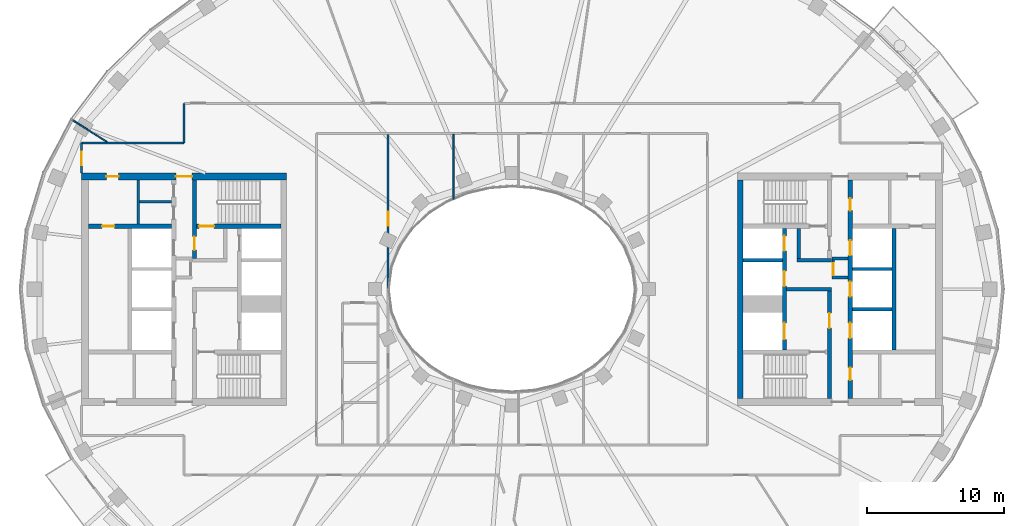
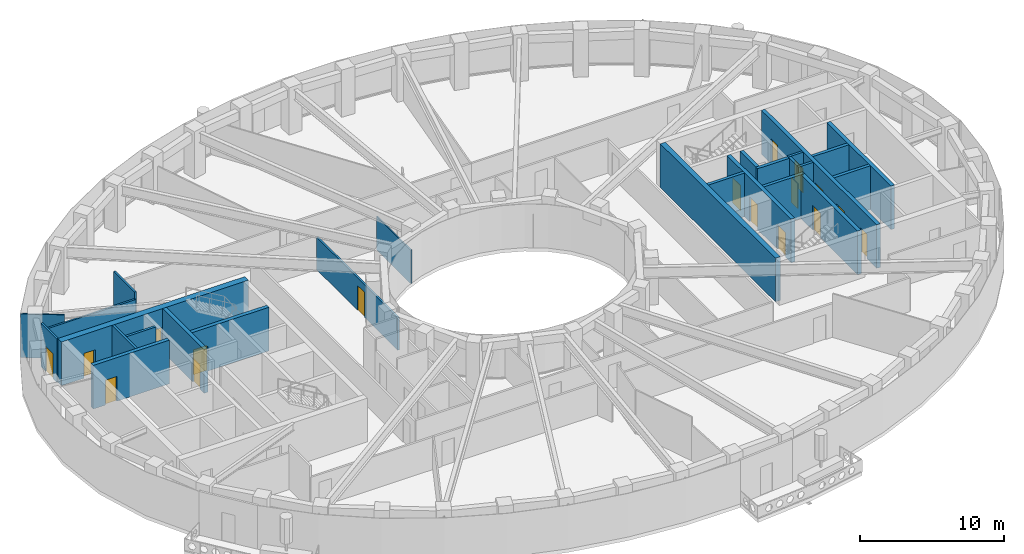
# One storey, part 5 of 16: 26 walls, 17 doors, 17 openings.
"""IFC4 building model written with IfcOpenShell, lengths in metres."""

from ifc_helpers import new_model, si_unit, direction, frame, frame_2d, origin, place, context, subcontext, project, spatial, rectangle, extrude, material, layer, layer_set, type_object, element, fill, save


model = new_model("IFC4")

# Units and contexts
model_context = context("Model", 3, precision=1e-05, world=origin(), true_north=direction((0.0, 1.0)))
body_context = subcontext(model_context, "Body", "Model", "MODEL_VIEW")
ifc_project = project(units=[si_unit("LENGTHUNIT", "METRE"), si_unit("AREAUNIT", "SQUARE_METRE"), si_unit("VOLUMEUNIT", "CUBIC_METRE"), si_unit("PLANEANGLEUNIT", "RADIAN"), si_unit("MASSUNIT", "GRAM", prefix="KILO")], contexts=[model_context])

# Site, building, storey
site_placement = place(None, origin())
site = spatial("IfcSite", under=ifc_project, at=site_placement, CompositionType="ELEMENT")
building_placement = place(site_placement, origin())
building = spatial("IfcBuilding", under=site, at=building_placement, Name="Noorbagh Ring Tower", CompositionType="ELEMENT")
storey_placement = place(building_placement, frame((0.0, 0.0, 281.5)))
storey = spatial("IfcBuildingStorey", under=building, at=storey_placement, Name="L60", CompositionType="ELEMENT", Elevation=281.5)

# Walls
ifc_material_1 = material(Name="Gypsum board on steel studs", Category="steel")
ifc_layer_1 = layer(ifc_material_1, 0.199951171875)
ifc_layer_set_1 = layer_set([ifc_layer_1], Name="Gypsum board on steel studs")
wall_type_1 = type_object("IfcWallType", Name="CORE-PARTITION-200", PredefinedType="PARTITIONING", material=ifc_layer_set_1)
wall_1_placement = place(storey_placement, frame((-27.35009765625, 4.75, 0.0), z_axis=(0.0, 0.0, 1.0), x_axis=(0.0, 1.0, 0.0)))
element("IfcWall", 1, at=wall_1_placement, inside=storey, type_object=wall_type_1, Name="Core partition W", PredefinedType="PARTITIONING", context=body_context, shape_type="SweptSolid", body=[
    extrude(rectangle(XDim=3.25, YDim=0.199951171875, at=frame_2d((1.625, 0.0))), origin(), (0.0, 0.0, 1.0), 3.699951171875),
])
wall_2_placement = place(storey_placement, frame((-24.89990234375, 6.39990234375, 0.0), z_axis=(0.0, 0.0, 1.0), x_axis=(-1.0, 0.0, 0.0)))
element("IfcWall", 2, at=wall_2_placement, inside=storey, type_object=wall_type_1, Name="Core partition W", PredefinedType="PARTITIONING", context=body_context, shape_type="SweptSolid", body=[
    extrude(rectangle(XDim=2.35009765625, YDim=0.199951171875, at=frame_2d((1.175048828125, 0.0))), origin(), (0.0, 0.0, 1.0), 3.699951171875),
])
for number, where, z_axis, x_axis, name in (
    (3, (23.39990234375, 0.85009765625, 0.0), (0.0, 0.0, 1.0), (1.0, 0.0, 0.0), "Core partition E"),
    (4, (23.39990234375, 2.25, 0.0), (0.0, 0.0, 1.0), (1.0, 0.0, 0.0), "Core partition E"),
):
    element("IfcWall", number, at=place(storey_placement, frame(where, z_axis=z_axis, x_axis=x_axis)), inside=storey, type_object=wall_type_1, Name=name, PredefinedType="PARTITIONING", context=body_context, shape_type="SweptSolid", body=[
        extrude(rectangle(XDim=1.2001953125, YDim=0.199951171875, at=frame_2d((0.60009765625, 0.0))), origin(), (0.0, 0.0, 1.0), 3.699951171875),
    ])

# Wall, opening, door
wall_3_placement = place(storey_placement, frame((23.5, 0.75, 0.0), z_axis=(0.0, 0.0, 1.0), x_axis=(0.0, 1.0, 0.0)))
wall_3 = element("IfcWall", 5, at=wall_3_placement, inside=storey, type_object=wall_type_1, Name="Core partition E", PredefinedType="PARTITIONING", context=body_context, shape_type="SweptSolid", body=[
    extrude(rectangle(XDim=1.60009765625, YDim=0.199951171875, at=frame_2d((0.800048828125, 0.0))), origin(), (0.0, 0.0, 1.0), 3.699951171875),
])
opening_1_placement = place(wall_3_placement, frame((0.25, 0.0, 0.0)))
opening_1 = element("IfcOpeningElement", 6, at=opening_1_placement, cuts=wall_3, Name="Opening L60-CE17", PredefinedType="OPENING", context=body_context, shape_type="SweptSolid", body=[
    extrude(rectangle(XDim=0.89990234375, YDim=2.10009765625, at=frame_2d((0.449951171875, 1.050048828125))), frame((0.0, 0.10986328125, 0.0), z_axis=(0.0, -1.0, 0.0), x_axis=(1.0, 0.0, 0.0)), (0.0, 0.0, 1.0), 0.219970703125),
])
ifc_material_2 = material(Name="Steel door leaf", Category="steel")
door_type_1 = type_object("IfcDoorType", Name="CORE-DOOR-DROOM", OperationType="SINGLE_SWING_LEFT", PredefinedType="DOOR", material=ifc_material_2)
door_1_placement = place(opening_1_placement, origin())
door_1 = element("IfcDoor", 7, at=door_1_placement, inside=storey, type_object=door_type_1, Name="Core room door L60-CE17", OperationType="SINGLE_SWING_LEFT", OverallHeight=2.10009765625, OverallWidth=0.89990234375, PredefinedType="DOOR", context=body_context, shape_type="SweptSolid", body=[
    extrude(rectangle(XDim=0.89990234375, YDim=2.10009765625, at=frame_2d((0.449951171875, 1.050048828125))), frame((0.0, 0.02490234375, 0.0), z_axis=(0.0, -1.0, 0.0), x_axis=(1.0, 0.0, 0.0)), (0.0, 0.0, 1.0), 0.050048828125),
])
fill(opening_1, door_1)

# Walls
ifc_material_3 = material(Name="Concrete C60/75", Category="concrete")
ifc_layer_2 = layer(ifc_material_3, 0.25)
ifc_layer_set_2 = layer_set([ifc_layer_2], Name="Concrete C60/75")
wall_type_2 = type_object("IfcWallType", Name="CORE-WALL-250-C60-75-EI120", PredefinedType="SHEAR", material=ifc_layer_set_2)
for number, where, z_axis, x_axis, name in (
    (8, (16.89990234375, 2.125, 0.0), (0.0, 0.0, 1.0), (1.0, 0.0, 0.0), "Core wall E"),
    (9, (24.89990234375, -1.47509765625, 0.0), (0.0, 0.0, 1.0), (1.0, 0.0, 0.0), "Core wall E"),
    (10, (24.89990234375, 1.47509765625, 0.0), (0.0, 0.0, 1.0), (1.0, 0.0, 0.0), "Core wall E"),
):
    element("IfcWall", number, at=place(storey_placement, frame(where, z_axis=z_axis, x_axis=x_axis)), inside=storey, type_object=wall_type_2, Name=name, PredefinedType="SHEAR", context=body_context, shape_type="SweptSolid", body=[
        extrude(rectangle(XDim=2.900146484375, YDim=0.25, at=frame_2d((1.4501953125, 0.0))), origin(), (0.0, 0.0, 1.0), 3.699951171875),
    ])
ifc_material_4 = material(Name="Concrete C60/75", Category="concrete")
ifc_layer_3 = layer(ifc_material_4, 0.25)
ifc_layer_set_3 = layer_set([ifc_layer_3], Name="Concrete C60/75")
wall_type_3 = type_object("IfcWallType", Name="CORE-WALL-250-C60-75-EI240", PredefinedType="SHEAR", material=ifc_layer_set_3)
wall_4_placement = place(storey_placement, frame((20.10009765625, 0.0, 0.0), z_axis=(0.0, 0.0, 1.0), x_axis=(1.0, 0.0, 0.0)))
element("IfcWall", 11, at=wall_4_placement, inside=storey, type_object=wall_type_3, Name="Core wall E", PredefinedType="SHEAR", context=body_context, shape_type="SweptSolid", body=[
    extrude(rectangle(XDim=3.27978515625, YDim=0.25, at=frame_2d((1.639892578125, 0.0))), origin(), (0.0, 0.0, 1.0), 3.699951171875),
])
wall_5_placement = place(storey_placement, frame((20.85009765625, 2.125, 0.0), z_axis=(0.0, 0.0, 1.0), x_axis=(1.0, 0.0, 0.0)))
element("IfcWall", 12, at=wall_5_placement, inside=storey, type_object=wall_type_3, Name="Core wall E", PredefinedType="SHEAR", context=body_context, shape_type="SweptSolid", body=[
    extrude(rectangle(XDim=2.52978515625, YDim=0.25, at=frame_2d((1.264892578125, 0.0))), origin(), (0.0, 0.0, 1.0), 3.699951171875),
])
wall_6_placement = place(storey_placement, frame((20.97509765625, 2.25, 0.0), z_axis=(0.0, 0.0, 1.0), x_axis=(0.0, 1.0, 0.0)))
element("IfcWall", 13, at=wall_6_placement, inside=storey, type_object=wall_type_3, Name="Core wall E", PredefinedType="SHEAR", context=body_context, shape_type="SweptSolid", body=[
    extrude(rectangle(XDim=2.199951171875, YDim=0.25, at=frame_2d((1.10009765625, 0.0))), origin(), (0.0, 0.0, 1.0), 3.699951171875),
])
ifc_material_5 = material(Name="Concrete C60/75", Category="concrete")
ifc_layer_4 = layer(ifc_material_5, 0.300048828125)
ifc_layer_set_4 = layer_set([ifc_layer_4], Name="Concrete C60/75")
wall_type_4 = type_object("IfcWallType", Name="CORE-WALL-300-C60-75-EI120", PredefinedType="SHEAR", material=ifc_layer_set_4)
wall_7_placement = place(storey_placement, frame((27.949951171875, -4.449951171875, 0.0), z_axis=(0.0, 0.0, 1.0), x_axis=(0.0, 1.0, 0.0)))
element("IfcWall", 14, at=wall_7_placement, inside=storey, type_object=wall_type_4, Name="Core wall E", PredefinedType="SHEAR", context=body_context, shape_type="SweptSolid", body=[
    extrude(rectangle(XDim=8.89990234375, YDim=0.300048828125, at=frame_2d((4.449951171875, 0.0))), origin(), (0.0, 0.0, 1.0), 3.699951171875),
])

# Wall, openings, doors
wall_8_placement = place(storey_placement, frame((19.949951171875, -4.449951171875, 0.0), z_axis=(0.0, 0.0, 1.0), x_axis=(0.0, 1.0, 0.0)))
wall_8 = element("IfcWall", 15, at=wall_8_placement, inside=storey, type_object=wall_type_4, Name="Core wall E", PredefinedType="SHEAR", context=body_context, shape_type="SweptSolid", body=[
    extrude(rectangle(XDim=8.89990234375, YDim=0.300048828125, at=frame_2d((4.449951171875, 0.0))), origin(), (0.0, 0.0, 1.0), 3.699951171875),
])
opening_2_placement = place(wall_8_placement, frame((0.77490234375, 0.0, 0.0)))
opening_2 = element("IfcOpeningElement", 16, at=opening_2_placement, cuts=wall_8, Name="Opening L60-CE01", PredefinedType="OPENING", context=body_context, shape_type="SweptSolid", body=[
    extrude(rectangle(XDim=1.199951171875, YDim=2.10009765625, at=frame_2d((0.60009765625, 1.050048828125))), frame((0.0, 0.16015625, 0.0), z_axis=(0.0, -1.0, 0.0), x_axis=(1.0, 0.0, 0.0)), (0.0, 0.0, 1.0), 0.320068359375),
])
opening_3_placement = place(wall_8_placement, frame((4.675048828125, 0.0, 0.0)))
opening_3 = element("IfcOpeningElement", 17, at=opening_3_placement, cuts=wall_8, Name="Opening L60-CE02", PredefinedType="OPENING", context=body_context, shape_type="SweptSolid", body=[
    extrude(rectangle(XDim=1.10009765625, YDim=2.10009765625, at=frame_2d((0.550048828125, 1.050048828125))), frame((0.0, 0.16015625, 0.0), z_axis=(0.0, -1.0, 0.0), x_axis=(1.0, 0.0, 0.0)), (0.0, 0.0, 1.0), 0.320068359375),
])
opening_4_placement = place(wall_8_placement, frame((7.25, 0.0, 0.0)))
opening_4 = element("IfcOpeningElement", 18, at=opening_4_placement, cuts=wall_8, Name="Opening L60-CE03", PredefinedType="OPENING", context=body_context, shape_type="SweptSolid", body=[
    extrude(rectangle(XDim=1.10009765625, YDim=2.10009765625, at=frame_2d((0.550048828125, 1.050048828125))), frame((0.0, 0.16015625, 0.0), z_axis=(0.0, -1.0, 0.0), x_axis=(1.0, 0.0, 0.0)), (0.0, 0.0, 1.0), 0.320068359375),
])
ifc_material_6 = material(Name="Steel door leaf", Category="steel")
door_type_2 = type_object("IfcDoorType", Name="CORE-DOOR-LD", OperationType="DOUBLE_DOOR_SLIDING", PredefinedType="DOOR", material=ifc_material_6)
door_2_placement = place(opening_3_placement, origin())
door_2 = element("IfcDoor", 19, at=door_2_placement, inside=storey, type_object=door_type_2, Name="Landing door HR7 L60-CE02", OperationType="DOUBLE_DOOR_SLIDING", OverallHeight=2.10009765625, OverallWidth=1.10009765625, PredefinedType="DOOR", context=body_context, shape_type="SweptSolid", body=[
    extrude(rectangle(XDim=1.10009765625, YDim=2.10009765625, at=frame_2d((0.550048828125, 1.050048828125))), frame((0.0, 0.02490234375, 0.0), z_axis=(0.0, -1.0, 0.0), x_axis=(1.0, 0.0, 0.0)), (0.0, 0.0, 1.0), 0.050048828125),
])
fill(opening_3, door_2)
door_3_placement = place(opening_4_placement, origin())
door_3 = element("IfcDoor", 20, at=door_3_placement, inside=storey, type_object=door_type_2, Name="Landing door HR8 L60-CE03", OperationType="DOUBLE_DOOR_SLIDING", OverallHeight=2.10009765625, OverallWidth=1.10009765625, PredefinedType="DOOR", context=body_context, shape_type="SweptSolid", body=[
    extrude(rectangle(XDim=1.10009765625, YDim=2.10009765625, at=frame_2d((0.550048828125, 1.050048828125))), frame((0.0, 0.02490234375, 0.0), z_axis=(0.0, -1.0, 0.0), x_axis=(1.0, 0.0, 0.0)), (0.0, 0.0, 1.0), 0.050048828125),
])
fill(opening_4, door_3)
ifc_material_7 = material(Name="Steel door leaf", Category="steel")
door_type_3 = type_object("IfcDoorType", Name="CORE-DOOR-LDW", OperationType="DOUBLE_DOOR_SLIDING", PredefinedType="DOOR", material=ifc_material_7)
door_4_placement = place(opening_2_placement, origin())
door_4 = element("IfcDoor", 21, at=door_4_placement, inside=storey, type_object=door_type_3, Name="Landing door FF2 L60-CE01", OperationType="DOUBLE_DOOR_SLIDING", OverallHeight=2.10009765625, OverallWidth=1.199951171875, PredefinedType="DOOR", context=body_context, shape_type="SweptSolid", body=[
    extrude(rectangle(XDim=1.199951171875, YDim=2.10009765625, at=frame_2d((0.60009765625, 1.050048828125))), frame((0.0, 0.02490234375, 0.0), z_axis=(0.0, -1.0, 0.0), x_axis=(1.0, 0.0, 0.0)), (0.0, 0.0, 1.0), 0.050048828125),
])
fill(opening_2, door_4)

wall_9_placement = place(storey_placement, frame((24.75, -8.0, 0.0), z_axis=(0.0, 0.0, 1.0), x_axis=(0.0, 1.0, 0.0)))
wall_9 = element("IfcWall", 22, at=wall_9_placement, inside=storey, type_object=wall_type_4, Name="Core wall E", PredefinedType="SHEAR", context=body_context, shape_type="SweptSolid", body=[
    extrude(rectangle(XDim=16.0, YDim=0.300048828125, at=frame_2d((8.0, 0.0))), origin(), (0.0, 0.0, 1.0), 3.699951171875),
])
opening_5_placement = place(wall_9_placement, frame((4.425048828125, 0.0, 0.0)))
opening_5 = element("IfcOpeningElement", 23, at=opening_5_placement, cuts=wall_9, Name="Opening L60-CE04", PredefinedType="OPENING", context=body_context, shape_type="SweptSolid", body=[
    extrude(rectangle(XDim=1.10009765625, YDim=2.10009765625, at=frame_2d((0.550048828125, 1.050048828125))), frame((0.0, 0.16015625, 0.0), z_axis=(0.0, -1.0, 0.0), x_axis=(1.0, 0.0, 0.0)), (0.0, 0.0, 1.0), 0.320068359375),
])
opening_6_placement = place(wall_9_placement, frame((7.449951171875, 0.0, 0.0)))
opening_6 = element("IfcOpeningElement", 24, at=opening_6_placement, cuts=wall_9, Name="Opening L60-CE05", PredefinedType="OPENING", context=body_context, shape_type="SweptSolid", body=[
    extrude(rectangle(XDim=1.10009765625, YDim=2.10009765625, at=frame_2d((0.550048828125, 1.050048828125))), frame((0.0, 0.16015625, 0.0), z_axis=(0.0, -1.0, 0.0), x_axis=(1.0, 0.0, 0.0)), (0.0, 0.0, 1.0), 0.320068359375),
])
opening_7_placement = place(wall_9_placement, frame((10.47509765625, 0.0, 0.0)))
opening_7 = element("IfcOpeningElement", 25, at=opening_7_placement, cuts=wall_9, Name="Opening L60-CE06", PredefinedType="OPENING", context=body_context, shape_type="SweptSolid", body=[
    extrude(rectangle(XDim=1.10009765625, YDim=2.10009765625, at=frame_2d((0.550048828125, 1.050048828125))), frame((0.0, 0.16015625, 0.0), z_axis=(0.0, -1.0, 0.0), x_axis=(1.0, 0.0, 0.0)), (0.0, 0.0, 1.0), 0.320068359375),
])
opening_8_placement = place(wall_9_placement, frame((13.75, 0.0, 0.0)))
opening_8 = element("IfcOpeningElement", 26, at=opening_8_placement, cuts=wall_9, Name="Opening L60-CE13", PredefinedType="OPENING", context=body_context, shape_type="SweptSolid", body=[
    extrude(rectangle(XDim=0.89990234375, YDim=2.10009765625, at=frame_2d((0.449951171875, 1.050048828125))), frame((0.0, 0.16015625, 0.0), z_axis=(0.0, -1.0, 0.0), x_axis=(1.0, 0.0, 0.0)), (0.0, 0.0, 1.0), 0.320068359375),
])
opening_9_placement = place(wall_9_placement, frame((1.35009765625, 0.0, 0.0)))
opening_9 = element("IfcOpeningElement", 27, at=opening_9_placement, cuts=wall_9, Name="Opening L60-CE15", PredefinedType="OPENING", context=body_context, shape_type="SweptSolid", body=[
    extrude(rectangle(XDim=0.89990234375, YDim=2.10009765625, at=frame_2d((0.449951171875, 1.050048828125))), frame((0.0, 0.16015625, 0.0), z_axis=(0.0, -1.0, 0.0), x_axis=(1.0, 0.0, 0.0)), (0.0, 0.0, 1.0), 0.320068359375),
])
door_5_placement = place(opening_8_placement, origin())
door_5 = element("IfcDoor", 28, at=door_5_placement, inside=storey, type_object=door_type_1, Name="Core room door L60-CE13", OperationType="SINGLE_SWING_LEFT", OverallHeight=2.10009765625, OverallWidth=0.89990234375, PredefinedType="DOOR", context=body_context, shape_type="SweptSolid", body=[
    extrude(rectangle(XDim=0.89990234375, YDim=2.10009765625, at=frame_2d((0.449951171875, 1.050048828125))), frame((0.0, 0.02490234375, 0.0), z_axis=(0.0, -1.0, 0.0), x_axis=(1.0, 0.0, 0.0)), (0.0, 0.0, 1.0), 0.050048828125),
])
fill(opening_8, door_5)
door_6_placement = place(opening_9_placement, origin())
door_6 = element("IfcDoor", 29, at=door_6_placement, inside=storey, type_object=door_type_1, Name="Core room door L60-CE15", OperationType="SINGLE_SWING_RIGHT", OverallHeight=2.10009765625, OverallWidth=0.89990234375, PredefinedType="DOOR", context=body_context, shape_type="SweptSolid", body=[
    extrude(rectangle(XDim=0.89990234375, YDim=2.10009765625, at=frame_2d((0.449951171875, 1.050048828125))), frame((0.0, 0.02490234375, 0.0), z_axis=(0.0, -1.0, 0.0), x_axis=(1.0, 0.0, 0.0)), (0.0, 0.0, 1.0), 0.050048828125),
])
fill(opening_9, door_6)
door_7_placement = place(opening_5_placement, origin())
door_7 = element("IfcDoor", 30, at=door_7_placement, inside=storey, type_object=door_type_2, Name="Landing door HR9 L60-CE04", OperationType="DOUBLE_DOOR_SLIDING", OverallHeight=2.10009765625, OverallWidth=1.10009765625, PredefinedType="DOOR", context=body_context, shape_type="SweptSolid", body=[
    extrude(rectangle(XDim=1.10009765625, YDim=2.10009765625, at=frame_2d((0.550048828125, 1.050048828125))), frame((0.0, 0.02490234375, 0.0), z_axis=(0.0, -1.0, 0.0), x_axis=(1.0, 0.0, 0.0)), (0.0, 0.0, 1.0), 0.050048828125),
])
fill(opening_5, door_7)
door_8_placement = place(opening_6_placement, origin())
door_8 = element("IfcDoor", 31, at=door_8_placement, inside=storey, type_object=door_type_2, Name="Landing door HR10 L60-CE05", OperationType="DOUBLE_DOOR_SLIDING", OverallHeight=2.10009765625, OverallWidth=1.10009765625, PredefinedType="DOOR", context=body_context, shape_type="SweptSolid", body=[
    extrude(rectangle(XDim=1.10009765625, YDim=2.10009765625, at=frame_2d((0.550048828125, 1.050048828125))), frame((0.0, 0.02490234375, 0.0), z_axis=(0.0, -1.0, 0.0), x_axis=(1.0, 0.0, 0.0)), (0.0, 0.0, 1.0), 0.050048828125),
])
fill(opening_6, door_8)
door_9_placement = place(opening_7_placement, origin())
door_9 = element("IfcDoor", 32, at=door_9_placement, inside=storey, type_object=door_type_2, Name="Landing door HR11 L60-CE06", OperationType="DOUBLE_DOOR_SLIDING", OverallHeight=2.10009765625, OverallWidth=1.10009765625, PredefinedType="DOOR", context=body_context, shape_type="SweptSolid", body=[
    extrude(rectangle(XDim=1.10009765625, YDim=2.10009765625, at=frame_2d((0.550048828125, 1.050048828125))), frame((0.0, 0.02490234375, 0.0), z_axis=(0.0, -1.0, 0.0), x_axis=(1.0, 0.0, 0.0)), (0.0, 0.0, 1.0), 0.050048828125),
])
fill(opening_7, door_9)

# Wall, opening, door
ifc_material_8 = material(Name="Concrete C60/75", Category="concrete")
ifc_layer_5 = layer(ifc_material_8, 0.300048828125)
ifc_layer_set_5 = layer_set([ifc_layer_5], Name="Concrete C60/75")
wall_type_5 = type_object("IfcWallType", Name="CORE-WALL-300-C60-75-EI240", PredefinedType="SHEAR", material=ifc_layer_set_5)
wall_10_placement = place(storey_placement, frame((-24.89990234375, 4.60009765625, 0.0), z_axis=(0.0, 0.0, 1.0), x_axis=(-1.0, 0.0, 0.0)))
wall_10 = element("IfcWall", 33, at=wall_10_placement, inside=storey, type_object=wall_type_5, Name="Core wall W", PredefinedType="SHEAR", context=body_context, shape_type="SweptSolid", body=[
    extrude(rectangle(XDim=6.10009765625, YDim=0.300048828125, at=frame_2d((3.050048828125, 0.0))), origin(), (0.0, 0.0, 1.0), 3.699951171875),
])
opening_10_placement = place(wall_10_placement, frame((4.199951171875, 0.0, 0.0)))
opening_10 = element("IfcOpeningElement", 34, at=opening_10_placement, cuts=wall_10, Name="Opening L60-CW18", PredefinedType="OPENING", context=body_context, shape_type="SweptSolid", body=[
    extrude(rectangle(XDim=0.89990234375, YDim=2.10009765625, at=frame_2d((0.449951171875, 1.050048828125))), frame((0.0, 0.16015625, 0.0), z_axis=(0.0, -1.0, 0.0), x_axis=(1.0, 0.0, 0.0)), (0.0, 0.0, 1.0), 0.320068359375),
])
door_10_placement = place(opening_10_placement, origin())
door_10 = element("IfcDoor", 35, at=door_10_placement, inside=storey, type_object=door_type_1, Name="Core room door L60-CW18", OperationType="SINGLE_SWING_LEFT", OverallHeight=2.10009765625, OverallWidth=0.89990234375, PredefinedType="DOOR", context=body_context, shape_type="SweptSolid", body=[
    extrude(rectangle(XDim=0.89990234375, YDim=2.10009765625, at=frame_2d((0.449951171875, 1.050048828125))), frame((0.0, 0.02490234375, 0.0), z_axis=(0.0, -1.0, 0.0), x_axis=(1.0, 0.0, 0.0)), (0.0, 0.0, 1.0), 0.050048828125),
])
fill(opening_10, door_10)

wall_11_placement = place(storey_placement, frame((-23.22998046875, 2.25, 0.0), z_axis=(0.0, 0.0, 1.0), x_axis=(0.0, 1.0, 0.0)))
wall_11 = element("IfcWall", 36, at=wall_11_placement, inside=storey, type_object=wall_type_5, Name="Core wall W", PredefinedType="SHEAR", context=body_context, shape_type="SweptSolid", body=[
    extrude(rectangle(XDim=5.75, YDim=0.300048828125, at=frame_2d((2.875, 0.0))), origin(), (0.0, 0.0, 1.0), 3.699951171875),
])
opening_11_placement = place(wall_11_placement, frame((0.60009765625, 0.0, 0.0)))
opening_11 = element("IfcOpeningElement", 37, at=opening_11_placement, cuts=wall_11, Name="Opening L60-CW09", PredefinedType="OPENING", context=body_context, shape_type="SweptSolid", body=[
    extrude(rectangle(XDim=1.0, YDim=2.10009765625, at=frame_2d((0.5, 1.050048828125))), frame((0.0, 0.16015625, 0.0), z_axis=(0.0, -1.0, 0.0), x_axis=(1.0, 0.0, 0.0)), (0.0, 0.0, 1.0), 0.320068359375),
])
ifc_material_9 = material(Name="Steel door leaf", Category="steel")
door_type_4 = type_object("IfcDoorType", Name="CORE-DOOR-DVEST", OperationType="SINGLE_SWING_LEFT", PredefinedType="DOOR", material=ifc_material_9)
door_11_placement = place(opening_11_placement, origin())
door_11 = element("IfcDoor", 38, at=door_11_placement, inside=storey, type_object=door_type_4, Name="Stair vestibule door L60-CW09", OperationType="SINGLE_SWING_LEFT", OverallHeight=2.10009765625, OverallWidth=1.0, PredefinedType="DOOR", context=body_context, shape_type="SweptSolid", body=[
    extrude(rectangle(XDim=1.0, YDim=2.10009765625, at=frame_2d((0.5, 1.050048828125))), frame((0.0, 0.02490234375, 0.0), z_axis=(0.0, -1.0, 0.0), x_axis=(1.0, 0.0, 0.0)), (0.0, 0.0, 1.0), 0.050048828125),
])
fill(opening_11, door_11)

wall_12_placement = place(storey_placement, frame((-16.89990234375, 4.60009765625, 0.0), z_axis=(0.0, 0.0, 1.0), x_axis=(-1.0, 0.0, 0.0)))
wall_12 = element("IfcWall", 39, at=wall_12_placement, inside=storey, type_object=wall_type_5, Name="Core wall W", PredefinedType="SHEAR", context=body_context, shape_type="SweptSolid", body=[
    extrude(rectangle(XDim=6.18017578125, YDim=0.300048828125, at=frame_2d((3.090087890625, 0.0))), origin(), (0.0, 0.0, 1.0), 3.699951171875),
])
opening_12_placement = place(wall_12_placement, frame((4.89990234375, 0.0, 0.0)))
opening_12 = element("IfcOpeningElement", 40, at=opening_12_placement, cuts=wall_12, Name="Opening L60-CW06", PredefinedType="OPENING", context=body_context, shape_type="SweptSolid", body=[
    extrude(rectangle(XDim=1.10009765625, YDim=2.10009765625, at=frame_2d((0.550048828125, 1.050048828125))), frame((0.0, 0.16015625, 0.0), z_axis=(0.0, -1.0, 0.0), x_axis=(1.0, 0.0, 0.0)), (0.0, 0.0, 1.0), 0.320068359375),
])
ifc_material_10 = material(Name="Steel door leaf", Category="steel")
door_type_5 = type_object("IfcDoorType", Name="CORE-DOOR-DSTAIR", OperationType="SINGLE_SWING_LEFT", PredefinedType="DOOR", material=ifc_material_10)
door_12_placement = place(opening_12_placement, origin())
door_12 = element("IfcDoor", 41, at=door_12_placement, inside=storey, type_object=door_type_5, Name="Stair door ST1 L60-CW06", OperationType="SINGLE_SWING_RIGHT", OverallHeight=2.10009765625, OverallWidth=1.10009765625, PredefinedType="DOOR", context=body_context, shape_type="SweptSolid", body=[
    extrude(rectangle(XDim=1.10009765625, YDim=2.10009765625, at=frame_2d((0.550048828125, 1.050048828125))), frame((0.0, 0.02490234375, 0.0), z_axis=(0.0, -1.0, 0.0), x_axis=(1.0, 0.0, 0.0)), (0.0, 0.0, 1.0), 0.050048828125),
])
fill(opening_12, door_12)

wall_13_placement = place(storey_placement, frame((23.22998046875, -8.0, 0.0), z_axis=(0.0, 0.0, 1.0), x_axis=(0.0, 1.0, 0.0)))
wall_13 = element("IfcWall", 42, at=wall_13_placement, inside=storey, type_object=wall_type_5, Name="Core wall E", PredefinedType="SHEAR", context=body_context, shape_type="SweptSolid", body=[
    extrude(rectangle(XDim=7.875, YDim=0.300048828125, at=frame_2d((3.9375, 0.0))), origin(), (0.0, 0.0, 1.0), 3.699951171875),
])
opening_13_placement = place(wall_13_placement, frame((5.14990234375, 0.0, 0.0)))
opening_13 = element("IfcOpeningElement", 43, at=opening_13_placement, cuts=wall_13, Name="Opening L60-CE09", PredefinedType="OPENING", context=body_context, shape_type="SweptSolid", body=[
    extrude(rectangle(XDim=1.10009765625, YDim=2.10009765625, at=frame_2d((0.550048828125, 1.050048828125))), frame((0.0, 0.16015625, 0.0), z_axis=(0.0, -1.0, 0.0), x_axis=(1.0, 0.0, 0.0)), (0.0, 0.0, 1.0), 0.320068359375),
])
ifc_material_11 = material(Name="Steel door leaf", Category="steel")
door_type_6 = type_object("IfcDoorType", Name="CORE-DOOR-DFF", OperationType="SINGLE_SWING_LEFT", PredefinedType="DOOR", material=ifc_material_11)
door_13_placement = place(opening_13_placement, origin())
door_13 = element("IfcDoor", 44, at=door_13_placement, inside=storey, type_object=door_type_6, Name="Firefighting lobby door L60-CE09", OperationType="SINGLE_SWING_RIGHT", OverallHeight=2.10009765625, OverallWidth=1.10009765625, PredefinedType="DOOR", context=body_context, shape_type="SweptSolid", body=[
    extrude(rectangle(XDim=1.10009765625, YDim=2.10009765625, at=frame_2d((0.550048828125, 1.050048828125))), frame((0.0, 0.02490234375, 0.0), z_axis=(0.0, -1.0, 0.0), x_axis=(1.0, 0.0, 0.0)), (0.0, 0.0, 1.0), 0.050048828125),
])
fill(opening_13, door_13)

# Wall
ifc_material_12 = material(Name="Concrete C60/75", Category="concrete")
ifc_layer_6 = layer(ifc_material_12, 0.39990234375)
ifc_layer_set_6 = layer_set([ifc_layer_6], Name="Concrete C60/75")
wall_type_6 = type_object("IfcWallType", Name="CORE-WALL-400-C60-75-EI240", PredefinedType="SHEAR", material=ifc_layer_set_6)
wall_14_placement = place(storey_placement, frame((16.699951171875, -8.0, 0.0), z_axis=(0.0, 0.0, 1.0), x_axis=(0.0, 1.0, 0.0)))
element("IfcWall", 45, at=wall_14_placement, inside=storey, type_object=wall_type_6, Name="Core wall E", PredefinedType="SHEAR", context=body_context, shape_type="SweptSolid", body=[
    extrude(rectangle(XDim=16.0, YDim=0.39990234375, at=frame_2d((8.0, 0.0))), origin(), (0.0, 0.0, 1.0), 3.699951171875),
])

# Wall, openings, doors
ifc_material_13 = material(Name="Concrete C60/75", Category="concrete")
ifc_layer_7 = layer(ifc_material_13, 0.5)
ifc_layer_set_7 = layer_set([ifc_layer_7], Name="Concrete C60/75")
wall_type_7 = type_object("IfcWallType", Name="CORE-WALL-500-C60-75-EI240", PredefinedType="SHEAR", material=ifc_layer_set_7)
wall_15_placement = place(storey_placement, frame((-16.5, 8.25, 0.0), z_axis=(0.0, 0.0, 1.0), x_axis=(-1.0, 0.0, 0.0)))
wall_15 = element("IfcWall", 46, at=wall_15_placement, inside=storey, type_object=wall_type_7, Name="Core wall W", PredefinedType="SHEAR", context=body_context, shape_type="SweptSolid", body=[
    extrude(rectangle(XDim=15.0, YDim=0.5, at=frame_2d((7.5, 0.0))), origin(), (0.0, 0.0, 1.0), 3.699951171875),
])
opening_14_placement = place(wall_15_placement, frame((6.89990234375, 0.0, 0.0)))
opening_14 = element("IfcOpeningElement", 47, at=opening_14_placement, cuts=wall_15, Name="Opening L60-CW10", PredefinedType="OPENING", context=body_context, shape_type="SweptSolid", body=[
    extrude(rectangle(XDim=1.199951171875, YDim=2.10009765625, at=frame_2d((0.60009765625, 1.050048828125))), frame((0.0, 0.260009765625, 0.0), z_axis=(0.0, -1.0, 0.0), x_axis=(1.0, 0.0, 0.0)), (0.0, 0.0, 1.0), 0.52001953125),
])
opening_15_placement = place(wall_15_placement, frame((12.27490234375, 0.0, 0.0)))
opening_15 = element("IfcOpeningElement", 48, at=opening_15_placement, cuts=wall_15, Name="Opening L60-CW14", PredefinedType="OPENING", context=body_context, shape_type="SweptSolid", body=[
    extrude(rectangle(XDim=0.89990234375, YDim=2.10009765625, at=frame_2d((0.449951171875, 1.050048828125))), frame((0.0, 0.260009765625, 0.0), z_axis=(0.0, -1.0, 0.0), x_axis=(1.0, 0.0, 0.0)), (0.0, 0.0, 1.0), 0.52001953125),
])
door_14_placement = place(opening_15_placement, origin())
door_14 = element("IfcDoor", 49, at=door_14_placement, inside=storey, type_object=door_type_1, Name="Core room door L60-CW14", OperationType="SINGLE_SWING_RIGHT", OverallHeight=2.10009765625, OverallWidth=0.89990234375, PredefinedType="DOOR", context=body_context, shape_type="SweptSolid", body=[
    extrude(rectangle(XDim=0.89990234375, YDim=2.10009765625, at=frame_2d((0.449951171875, 1.050048828125))), frame((0.0, 0.02490234375, 0.0), z_axis=(0.0, -1.0, 0.0), x_axis=(1.0, 0.0, 0.0)), (0.0, 0.0, 1.0), 0.050048828125),
])
fill(opening_15, door_14)
ifc_material_14 = material(Name="Steel door leaf", Category="steel")
door_type_7 = type_object("IfcDoorType", Name="CORE-DOOR-PORT", OperationType="DOUBLE_DOOR_DOUBLE_SWING", PredefinedType="DOOR", material=ifc_material_14)
door_15_placement = place(opening_14_placement, origin())
door_15 = element("IfcDoor", 50, at=door_15_placement, inside=storey, type_object=door_type_7, Name="Core entrance door L60-CW10", OperationType="DOUBLE_DOOR_DOUBLE_SWING", OverallHeight=2.10009765625, OverallWidth=1.199951171875, PredefinedType="DOOR", context=body_context, shape_type="SweptSolid", body=[
    extrude(rectangle(XDim=1.199951171875, YDim=2.10009765625, at=frame_2d((0.60009765625, 1.050048828125))), frame((0.0, 0.02490234375, 0.0), z_axis=(0.0, -1.0, 0.0), x_axis=(1.0, 0.0, 0.0)), (0.0, 0.0, 1.0), 0.050048828125),
])
fill(opening_14, door_15)

# Wall, opening, door
ifc_material_15 = material(Name="Gypsum board on steel studs", Category="steel")
ifc_layer_8 = layer(ifc_material_15, 0.14990234375)
ifc_layer_set_8 = layer_set([ifc_layer_8], Name="Gypsum board on steel studs")
wall_type_8 = type_object("IfcWallType", Name="CORRIDOR PARTITION 150 EI 30", PredefinedType="PARTITIONING", material=ifc_layer_set_8)
wall_16_placement = place(storey_placement, frame((-31.5, 8.5, 0.0), z_axis=(0.0, 0.0, 1.0), x_axis=(0.0, 1.0, 0.0)))
wall_16 = element("IfcWall", 51, at=wall_16_placement, inside=storey, type_object=wall_type_8, Name="L60/wall/P05", PredefinedType="PARTITIONING", context=body_context, shape_type="SweptSolid", body=[
    extrude(rectangle(XDim=2.199951171875, YDim=0.14990234375, at=frame_2d((1.10009765625, 0.0))), origin(), (0.0, 0.0, 1.0), 3.699951171875),
])
opening_16_placement = place(wall_16_placement, frame((0.550048828125, 0.0, 0.0)))
opening_16 = element("IfcOpeningElement", 52, at=opening_16_placement, cuts=wall_16, Name="Opening D1", PredefinedType="OPENING", context=body_context, shape_type="SweptSolid", body=[
    extrude(rectangle(XDim=1.0, YDim=2.10009765625, at=frame_2d((0.5, 1.050048828125))), frame((0.0, 0.0849609375, 0.0), z_axis=(0.0, -1.0, 0.0), x_axis=(1.0, 0.0, 0.0)), (0.0, 0.0, 1.0), 0.169921875),
])
ifc_material_16 = material(Name="Timber, painted", Category="wood")
door_type_8 = type_object("IfcDoorType", Name="DOOR 1000 X 2100 FD30", OperationType="SINGLE_SWING_LEFT", PredefinedType="DOOR", material=ifc_material_16)
door_16_placement = place(opening_16_placement, origin())
door_16 = element("IfcDoor", 53, at=door_16_placement, inside=storey, type_object=door_type_8, Name="L60-D06", OperationType="SINGLE_SWING_RIGHT", OverallHeight=2.10009765625, OverallWidth=1.0, PredefinedType="DOOR", context=body_context, shape_type="SweptSolid", body=[
    extrude(rectangle(XDim=1.0, YDim=2.10009765625, at=frame_2d((0.5, 1.050048828125))), frame((0.0, 0.02490234375, 0.0), z_axis=(0.0, -1.0, 0.0), x_axis=(1.0, 0.0, 0.0)), (0.0, 0.0, 1.0), 0.050048828125),
])
fill(opening_16, door_16)

# Walls
wall_17_placement = place(storey_placement, frame((-31.5, 10.699951171875, 0.0), z_axis=(0.0, 0.0, 1.0), x_axis=(1.0, 0.0, 0.0)))
element("IfcWall", 54, at=wall_17_placement, inside=storey, type_object=wall_type_8, Name="L60/wall/P06", PredefinedType="PARTITIONING", context=body_context, shape_type="SweptSolid", body=[
    extrude(rectangle(XDim=7.5, YDim=0.14990234375, at=frame_2d((3.75, 0.0))), origin(), (0.0, 0.0, 1.0), 3.10009765625),
])
wall_18_placement = place(storey_placement, frame((-24.0, 10.699951171875, 0.0), z_axis=(0.0, 0.0, 1.0), x_axis=(0.0, 1.0, 0.0)))
element("IfcWall", 55, at=wall_18_placement, inside=storey, type_object=wall_type_8, Name="L60/wall/P09", PredefinedType="PARTITIONING", context=body_context, shape_type="SweptSolid", body=[
    extrude(rectangle(XDim=2.900146484375, YDim=0.14990234375, at=frame_2d((1.4501953125, 0.0))), origin(), (0.0, 0.0, 1.0), 3.699951171875),
])

# Wall, opening, door
wall_19_placement = place(storey_placement, frame((-9.056884765625, 0.044921875, 0.0), z_axis=(0.0, 0.0, 1.0), x_axis=(0.0, 1.0, 0.0)))
wall_19 = element("IfcWall", 56, at=wall_19_placement, inside=storey, type_object=wall_type_8, Name="L60/wall/P26", PredefinedType="PARTITIONING", context=body_context, shape_type="SweptSolid", body=[
    extrude(rectangle(XDim=11.280029296875, YDim=0.14990234375, at=frame_2d((5.64013671875, 0.0))), origin(), (0.0, 0.0, 1.0), 2.75),
])
opening_17_placement = place(wall_19_placement, frame((4.610107421875, 0.0, 0.0)))
opening_17 = element("IfcOpeningElement", 57, at=opening_17_placement, cuts=wall_19, Name="Opening D1", PredefinedType="OPENING", context=body_context, shape_type="SweptSolid", body=[
    extrude(rectangle(XDim=1.0, YDim=2.10009765625, at=frame_2d((0.5, 1.050048828125))), frame((0.0, 0.0849609375, 0.0), z_axis=(0.0, -1.0, 0.0), x_axis=(1.0, 0.0, 0.0)), (0.0, 0.0, 1.0), 0.169921875),
])
door_17_placement = place(opening_17_placement, origin())
door_17 = element("IfcDoor", 58, at=door_17_placement, inside=storey, type_object=door_type_8, Name="L60-D17", OperationType="SINGLE_SWING_LEFT", OverallHeight=2.10009765625, OverallWidth=1.0, PredefinedType="DOOR", context=body_context, shape_type="SweptSolid", body=[
    extrude(rectangle(XDim=1.0, YDim=2.10009765625, at=frame_2d((0.5, 1.050048828125))), frame((0.0, 0.02490234375, 0.0), z_axis=(0.0, -1.0, 0.0), x_axis=(1.0, 0.0, 0.0)), (0.0, 0.0, 1.0), 0.050048828125),
])
fill(opening_17, door_17)

# Walls
ifc_material_17 = material(Name="Gypsum board on steel studs", Category="steel")
ifc_layer_9 = layer(ifc_material_17, 0.10009765625)
ifc_layer_set_9 = layer_set([ifc_layer_9], Name="Gypsum board on steel studs")
wall_type_9 = type_object("IfcWallType", Name="PARTITION 100 GYPSUM", PredefinedType="PARTITIONING", material=ifc_layer_set_9)
wall_20_placement = place(storey_placement, frame((-32.2119140625, 12.407958984375, 0.0), z_axis=(0.0, 0.0, 1.0), x_axis=(0.844810627195, -0.535065420467, 0.0)))
element("IfcWall", 59, at=wall_20_placement, inside=storey, type_object=wall_type_9, Name="L60/wall/P02", PredefinedType="PARTITIONING", context=body_context, shape_type="SweptSolid", body=[
    extrude(rectangle(XDim=3.0478515625, YDim=0.10009765625, at=frame_2d((1.52392578125, 0.0))), origin(), (0.0, 0.0, 1.0), 3.699951171875),
])
wall_21_placement = place(storey_placement, frame((-4.2900390625, 6.568115234375, 0.0), z_axis=(0.0, 0.0, 1.0), x_axis=(0.0, 1.0, 0.0)))
element("IfcWall", 60, at=wall_21_placement, inside=storey, type_object=wall_type_9, Name="L60/wall/P29", PredefinedType="PARTITIONING", context=body_context, shape_type="SweptSolid", body=[
    extrude(rectangle(XDim=4.7568359375, YDim=0.10009765625, at=frame_2d((2.37841796875, 0.0))), origin(), (0.0, 0.0, 1.0), 2.85009765625),
])

save(model, "model.ifc")
